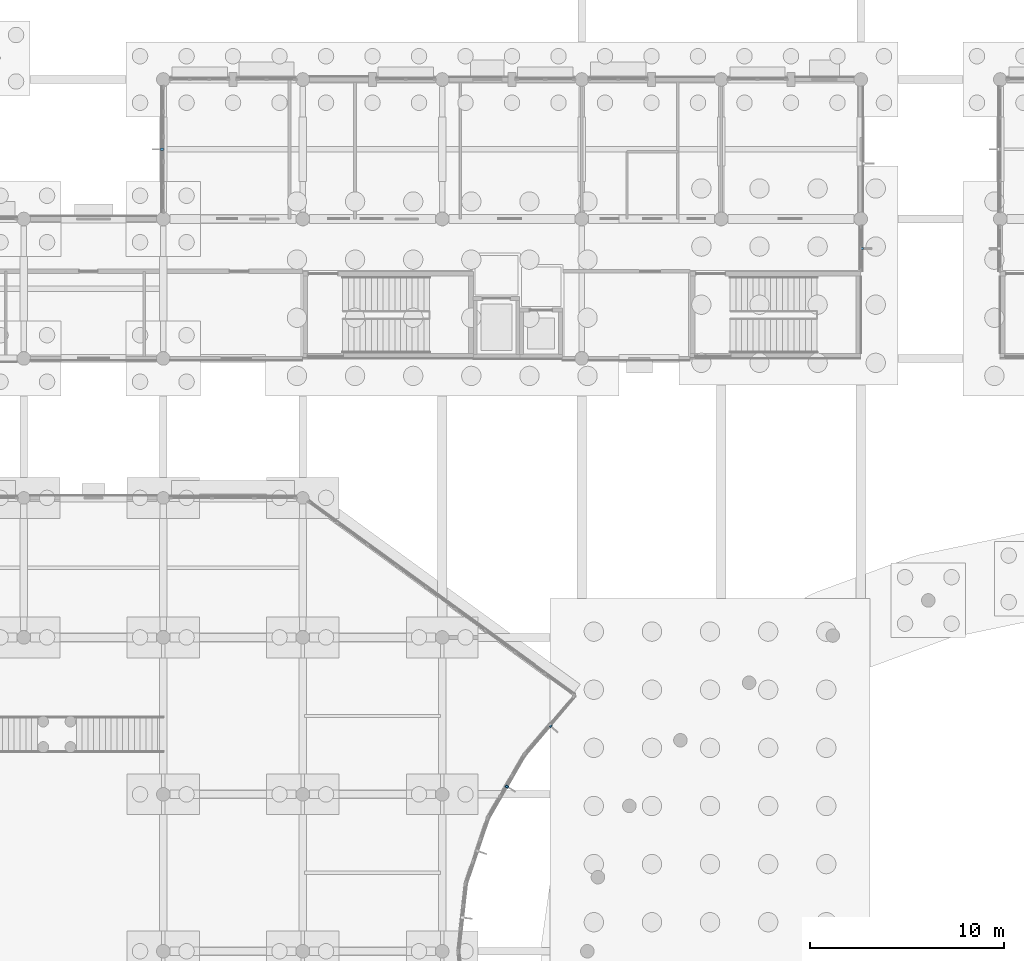
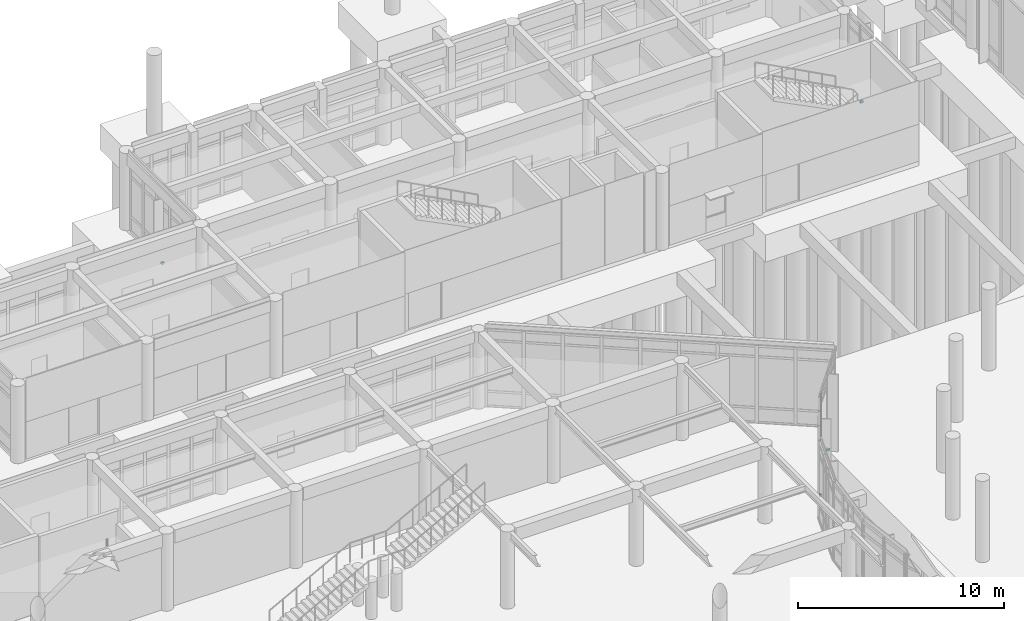
# One storey, part 71 of 103: 4 discrete accessories.
"""IFC4 building model written with IfcOpenShell, lengths in metres."""

from ifc_helpers import new_model, si_unit, direction, frame, origin, origin_2d, place, context, subcontext, project, spatial, rectangle, extrude, material, type_object, element, save


model = new_model("IFC4")

# Units and contexts
model_context = context("Model", 3, precision=1e-05, world=origin(), true_north=direction((0.0, 1.0)))
body_context = subcontext(model_context, "Body", "Model", "MODEL_VIEW")
ifc_project = project(units=[si_unit("LENGTHUNIT", "METRE"), si_unit("AREAUNIT", "SQUARE_METRE"), si_unit("VOLUMEUNIT", "CUBIC_METRE"), si_unit("PLANEANGLEUNIT", "RADIAN"), si_unit("MASSUNIT", "GRAM", prefix="KILO")], contexts=[model_context])

# Site, building, storey
site_placement = place(None, origin())
site = spatial("IfcSite", under=ifc_project, at=site_placement, CompositionType="ELEMENT")
building_placement = place(site_placement, origin())
building = spatial("IfcBuilding", under=site, at=building_placement, Name="Namkhue Oval Health Centre", CompositionType="ELEMENT")
storey_placement = place(building_placement, origin())
storey = spatial("IfcBuildingStorey", under=building, at=storey_placement, Name="L00", CompositionType="ELEMENT", Elevation=0.0)

# Discrete accessories
ifc_material = material(Name="Structural steel S355JR (TCVN CCT38)", Category="steel")
discrete_accessory_type = type_object("IfcDiscreteAccessoryType", Name="FACADE SHADING BRACKET", PredefinedType="BRACKET", material=ifc_material)
for number, where, z_axis, x_axis, name in (
    (1, (68.135498046875, 67.89990234375, 0.0), (0.0, 0.0, 1.0), (0.864976307593, -0.501812701416, 0.0), "Solar Fin Bracket 9"),
    (2, (70.369140625, 71.03955078125, 0.0), (0.0, 0.0, 1.0), (0.760972426325, -0.648784221735, 0.0), "Solar Fin Bracket 10"),
    (3, (86.4599609375, 95.678466796875, 0.0), (0.0, 0.0, 1.0), (1.0, 0.0, 0.0), "Solar Fin Bracket 46"),
    (4, (50.340087890625, 100.800048828125, 0.0), (0.0, 0.0, 1.0), (-1.0, 0.0, 0.0), "Solar Fin Bracket 56"),
):
    element("IfcDiscreteAccessory", number, at=place(storey_placement, frame(where, z_axis=z_axis, x_axis=x_axis)), inside=storey, type_object=discrete_accessory_type, Name=name, PredefinedType="BRACKET", context=body_context, shape_type="SweptSolid", body=[
        extrude(rectangle(XDim=0.159912109375, YDim=0.1201171875, at=origin_2d()), origin(), (0.0, 0.0, 1.0), 0.1201171875),
    ])

save(model, "model.ifc")
